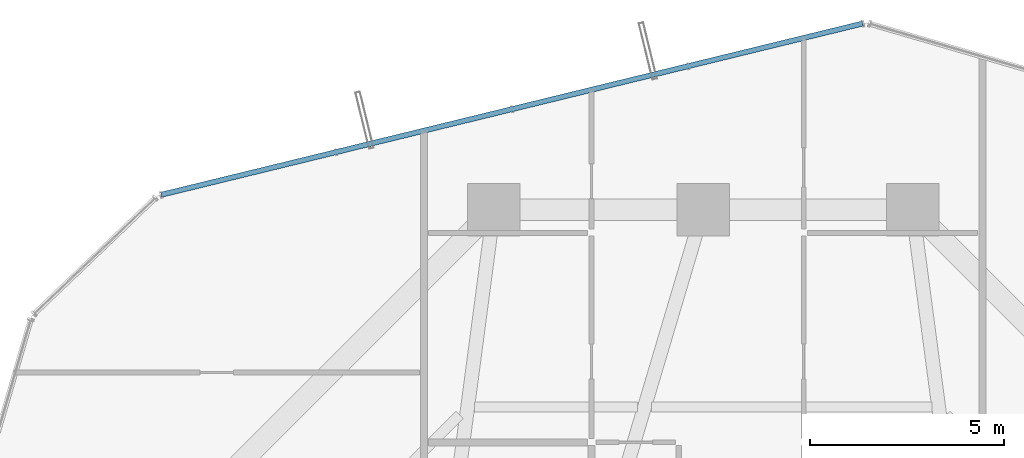
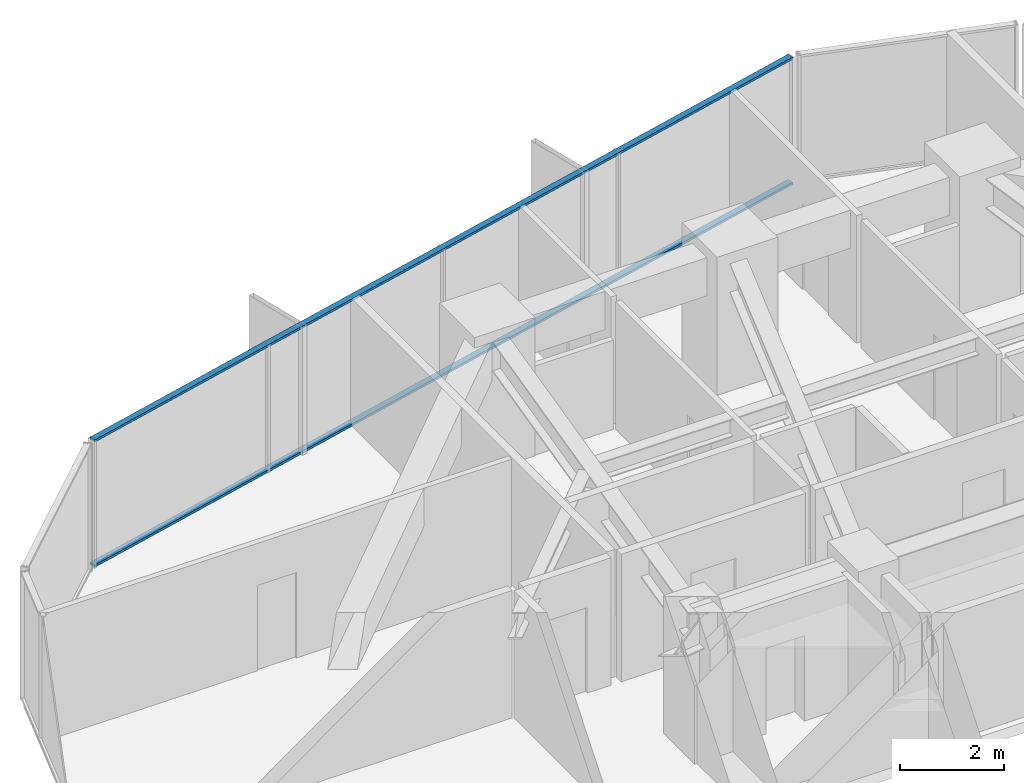
# One storey, part 25 of 37: 2 members, 1 element without a shape of its own.
"""IFC4 building model written with IfcOpenShell, lengths in metres."""

from ifc_helpers import new_model, si_unit, direction, frame, origin, origin_2d, place, context, subcontext, project, spatial, hollow_rectangle, extrude, source, transform, mapped, material, layer, layer_set, material_profile, profile_set, type_object, element, aggregate, save


model = new_model("IFC4")

# Units and contexts
model_context = context("Model", 3, precision=1e-05, world=origin(), true_north=direction((0.0, 1.0)))
body_context = subcontext(model_context, "Body", "Model", "MODEL_VIEW")
ifc_project = project(units=[si_unit("LENGTHUNIT", "METRE"), si_unit("AREAUNIT", "SQUARE_METRE"), si_unit("VOLUMEUNIT", "CUBIC_METRE"), si_unit("PLANEANGLEUNIT", "RADIAN"), si_unit("MASSUNIT", "GRAM", prefix="KILO")], contexts=[model_context])

# Site, building, storey
site_placement = place(None, origin())
site = spatial("IfcSite", under=ifc_project, at=site_placement, CompositionType="ELEMENT")
building_placement = place(site_placement, origin())
building = spatial("IfcBuilding", under=site, at=building_placement, Name="Veraguas Prism Commons", CompositionType="ELEMENT")
storey_placement = place(building_placement, frame((0.0, 0.0, 70.60009765625)))
storey = spatial("IfcBuildingStorey", under=building, at=storey_placement, Name="L19", CompositionType="ELEMENT", Elevation=70.60009765625)

# Curtain wall, members
ifc_material = material(Name="Anodised aluminium EN AW-6063 T6", Category="aluminium")
ifc_layer = layer(ifc_material, 0.169921875, Name="Unitised Flush Curtain Wall Zone 1", Category="aluminium")
ifc_layer_set = layer_set([ifc_layer], Name="Anodised aluminium EN AW-6063 T6")
curtain_wall_type = type_object("IfcCurtainWallType", Name="Unitised Flush Curtain Wall Zone 1", PredefinedType="NOTDEFINED", material=ifc_layer_set)
curtain_wall_placement = place(storey_placement, origin())
curtain_wall = element("IfcCurtainWall", 1, at=curtain_wall_placement, inside=storey, type_object=curtain_wall_type, Name="Tower Facade Curtain Wall L19-F2", PredefinedType="NOTDEFINED")
ifc_material_profile = material_profile(ifc_material, hollow_rectangle(XDim=0.054931640625, YDim=0.135009765625, WallThickness=0.0029296875, at=origin_2d()), Name="AL55X135X3")
ifc_profile_set = profile_set([ifc_material_profile], Name="Anodised aluminium EN AW-6063 T6")
member_type = type_object("IfcMemberType", Name="Curtain Wall Transom Standard AL 55x135x3", PredefinedType="USERDEFINED", material=ifc_profile_set)
shared_shape = source(origin(), body_context, "Body", "SweptSolid", [
    extrude(hollow_rectangle(XDim=0.054931640625, YDim=0.135009765625, WallThickness=0.0029296875, at=origin_2d()), origin(), (0.0, 0.0, 1.0), 18.623779296875),
])
member_1_placement = place(storey_placement, frame((28.116455078125, 46.400146484375, 0.02734375), z_axis=(-0.971464887323, -0.237183415733, 0.0), x_axis=(0.0, 0.0, 1.0)))
member_1 = element("IfcMember", 2, at=member_1_placement, type_object=member_type, Name="CW-Z1 Transom 1", ObjectType="TRANSOM", PredefinedType="USERDEFINED", context=body_context, shape_type="MappedRepresentation", body=[
    mapped(shared_shape, transform((0.0, 0.0, 0.0), scale=1.0)),
])
member_2_placement = place(storey_placement, frame((28.116455078125, 46.400146484375, 2.972412109375), z_axis=(-0.971464887323, -0.237183415733, 0.0), x_axis=(0.0, 0.0, 1.0)))
member_2 = element("IfcMember", 3, at=member_2_placement, type_object=member_type, Name="CW-Z1 Transom 2", ObjectType="TRANSOM", PredefinedType="USERDEFINED", context=body_context, shape_type="MappedRepresentation", body=[
    mapped(shared_shape, transform((0.0, 0.0, 0.0), scale=1.0)),
])
aggregate(curtain_wall, [member_1, member_2])

save(model, "model.ifc")
